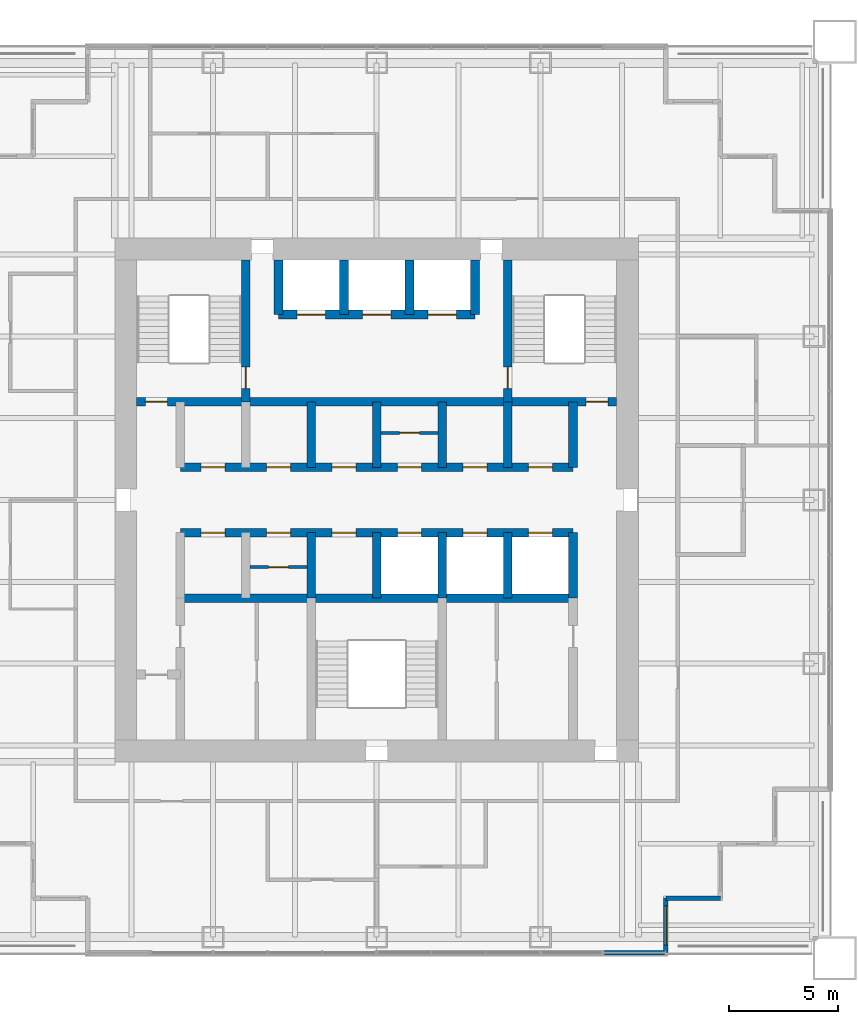
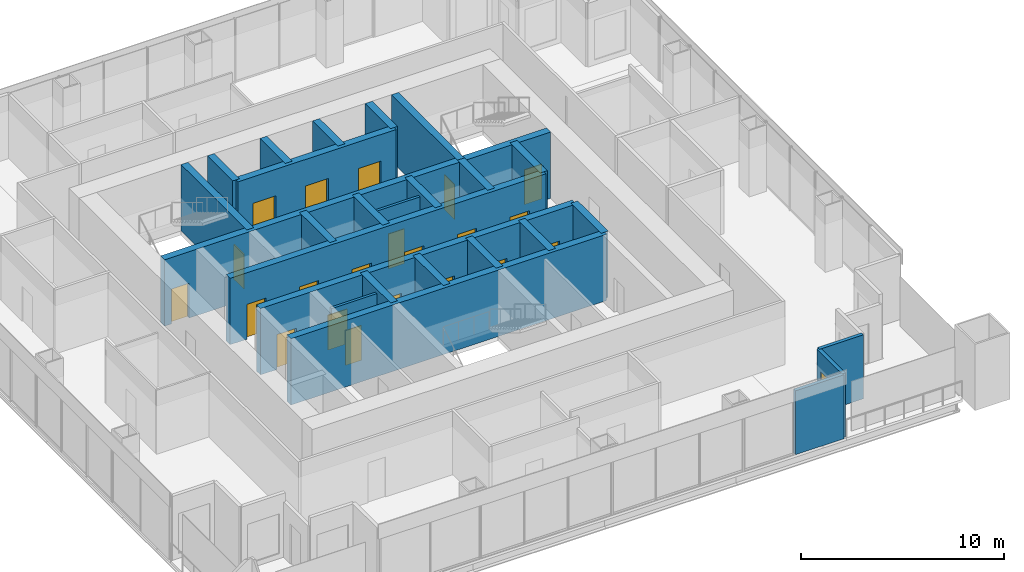
# One storey, part 10 of 14: 26 walls, 21 doors, 1 window, 22 openings.
"""IFC4 building model written with IfcOpenShell, lengths in metres."""

from ifc_helpers import new_model, si_unit, direction, frame, frame_2d, origin, place, context, subcontext, project, spatial, rectangle, extrude, material, layer, layer_set, type_object, element, fill, save


model = new_model("IFC4")

# Units and contexts
model_context = context("Model", 3, precision=1e-05, world=origin(), true_north=direction((0.0, 1.0)))
body_context = subcontext(model_context, "Body", "Model", "MODEL_VIEW")
ifc_project = project(units=[si_unit("LENGTHUNIT", "METRE"), si_unit("AREAUNIT", "SQUARE_METRE"), si_unit("VOLUMEUNIT", "CUBIC_METRE"), si_unit("PLANEANGLEUNIT", "RADIAN"), si_unit("MASSUNIT", "GRAM", prefix="KILO")], contexts=[model_context])

# Site, building, storey
site_placement = place(None, origin())
site = spatial("IfcSite", under=ifc_project, at=site_placement, CompositionType="ELEMENT")
building_placement = place(site_placement, origin())
building = spatial("IfcBuilding", under=site, at=building_placement, Name="Tarangal Relay Tower", CompositionType="ELEMENT")
storey_placement = place(building_placement, frame((0.0, 0.0, 263.89990234375)))
storey = spatial("IfcBuildingStorey", under=building, at=storey_placement, Name="L57", CompositionType="ELEMENT", Elevation=263.89990234375)

# Wall, openings, doors
ifc_material_1 = material(Name="Concrete fc' 60 MPa", Category="concrete")
ifc_layer_1 = layer(ifc_material_1, 0.39990234375)
ifc_layer_set_1 = layer_set([ifc_layer_1], Name="Core inner wall 400")
wall_type_1 = type_object("IfcWallType", Name="Core inner wall 400", PredefinedType="SHEAR", material=ifc_layer_set_1)
wall_1_placement = place(storey_placement, frame((-11.0, 4.5, 0.0), z_axis=(0.0, 0.0, 1.0), x_axis=(1.0, 0.0, 0.0)))
wall_1 = element("IfcWall", 1, at=wall_1_placement, inside=storey, type_object=wall_type_1, Name="Core wall Y45 L57", PredefinedType="SHEAR", context=body_context, shape_type="SweptSolid", body=[
    extrude(rectangle(XDim=22.0, YDim=0.39990234375, at=frame_2d((11.0, 0.0))), origin(), (0.0, 0.0, 1.0), 4.0),
])
opening_1_placement = place(wall_1_placement, frame((0.39990234375, 0.0, 0.0)))
opening_1 = element("IfcOpeningElement", 2, at=opening_1_placement, cuts=wall_1, Name="Opening FD1", PredefinedType="OPENING", context=body_context, shape_type="SweptSolid", body=[
    extrude(rectangle(XDim=1.0, YDim=2.10009765625, at=frame_2d((0.5, 1.050048828125))), frame((0.0, 0.2099609375, 0.0), z_axis=(0.0, -1.0, 0.0), x_axis=(1.0, 0.0, 0.0)), (0.0, 0.0, 1.0), 0.419921875),
])
opening_2_placement = place(wall_1_placement, frame((20.60009765625, 0.0, 0.0)))
opening_2 = element("IfcOpeningElement", 3, at=opening_2_placement, cuts=wall_1, Name="Opening FD1", PredefinedType="OPENING", context=body_context, shape_type="SweptSolid", body=[
    extrude(rectangle(XDim=1.0, YDim=2.10009765625, at=frame_2d((0.5, 1.050048828125))), frame((0.0, 0.2099609375, 0.0), z_axis=(0.0, -1.0, 0.0), x_axis=(1.0, 0.0, 0.0)), (0.0, 0.0, 1.0), 0.419921875),
])
ifc_material_2 = material(Name="Steel door with hardwood frame", Category="steel")
door_type_1 = type_object("IfcDoorType", Name="Fire door 1000 x 2100", OperationType="SINGLE_SWING_LEFT", PredefinedType="DOOR", material=ifc_material_2)
door_1_placement = place(opening_1_placement, origin())
door_1 = element("IfcDoor", 4, at=door_1_placement, inside=storey, type_object=door_type_1, Name="Stair ST-A door from corridor L57", OperationType="SINGLE_SWING_LEFT", OverallHeight=2.10009765625, OverallWidth=1.0, PredefinedType="DOOR", context=body_context, shape_type="SweptSolid", body=[
    extrude(rectangle(XDim=1.0, YDim=2.10009765625, at=frame_2d((0.5, 1.050048828125))), frame((0.0, 0.02490234375, 0.0), z_axis=(0.0, -1.0, 0.0), x_axis=(1.0, 0.0, 0.0)), (0.0, 0.0, 1.0), 0.050048828125),
])
fill(opening_1, door_1)
door_2_placement = place(opening_2_placement, origin())
door_2 = element("IfcDoor", 5, at=door_2_placement, inside=storey, type_object=door_type_1, Name="Stair ST-B door from corridor L57", OperationType="SINGLE_SWING_LEFT", OverallHeight=2.10009765625, OverallWidth=1.0, PredefinedType="DOOR", context=body_context, shape_type="SweptSolid", body=[
    extrude(rectangle(XDim=1.0, YDim=2.10009765625, at=frame_2d((0.5, 1.050048828125))), frame((0.0, 0.02490234375, 0.0), z_axis=(0.0, -1.0, 0.0), x_axis=(1.0, 0.0, 0.0)), (0.0, 0.0, 1.0), 0.050048828125),
])
fill(opening_2, door_2)

wall_2_placement = place(storey_placement, frame((-9.0, 1.5, 0.0), z_axis=(0.0, 0.0, 1.0), x_axis=(1.0, 0.0, 0.0)))
wall_2 = element("IfcWall", 6, at=wall_2_placement, inside=storey, type_object=wall_type_1, Name="Core wall Y15 L57", PredefinedType="SHEAR", context=body_context, shape_type="SweptSolid", body=[
    extrude(rectangle(XDim=18.0, YDim=0.39990234375, at=frame_2d((9.0, 0.0))), origin(), (0.0, 0.0, 1.0), 4.0),
])
opening_3_placement = place(wall_2_placement, frame((0.949951171875, 0.0, 0.0)))
opening_3 = element("IfcOpeningElement", 7, at=opening_3_placement, cuts=wall_2, Name="Opening D4", PredefinedType="OPENING", context=body_context, shape_type="SweptSolid", body=[
    extrude(rectangle(XDim=1.10009765625, YDim=2.10009765625, at=frame_2d((0.550048828125, 1.050048828125))), frame((0.0, 0.2099609375, 0.0), z_axis=(0.0, -1.0, 0.0), x_axis=(1.0, 0.0, 0.0)), (0.0, 0.0, 1.0), 0.419921875),
])
opening_4_placement = place(wall_2_placement, frame((3.949951171875, 0.0, 0.0)))
opening_4 = element("IfcOpeningElement", 8, at=opening_4_placement, cuts=wall_2, Name="Opening D4", PredefinedType="OPENING", context=body_context, shape_type="SweptSolid", body=[
    extrude(rectangle(XDim=1.10009765625, YDim=2.10009765625, at=frame_2d((0.550048828125, 1.050048828125))), frame((0.0, 0.2099609375, 0.0), z_axis=(0.0, -1.0, 0.0), x_axis=(1.0, 0.0, 0.0)), (0.0, 0.0, 1.0), 0.419921875),
])
opening_5_placement = place(wall_2_placement, frame((6.949951171875, 0.0, 0.0)))
opening_5 = element("IfcOpeningElement", 9, at=opening_5_placement, cuts=wall_2, Name="Opening D4", PredefinedType="OPENING", context=body_context, shape_type="SweptSolid", body=[
    extrude(rectangle(XDim=1.10009765625, YDim=2.10009765625, at=frame_2d((0.550048828125, 1.050048828125))), frame((0.0, 0.2099609375, 0.0), z_axis=(0.0, -1.0, 0.0), x_axis=(1.0, 0.0, 0.0)), (0.0, 0.0, 1.0), 0.419921875),
])
opening_6_placement = place(wall_2_placement, frame((9.949951171875, 0.0, 0.0)))
opening_6 = element("IfcOpeningElement", 10, at=opening_6_placement, cuts=wall_2, Name="Opening D4", PredefinedType="OPENING", context=body_context, shape_type="SweptSolid", body=[
    extrude(rectangle(XDim=1.10009765625, YDim=2.10009765625, at=frame_2d((0.550048828125, 1.050048828125))), frame((0.0, 0.2099609375, 0.0), z_axis=(0.0, -1.0, 0.0), x_axis=(1.0, 0.0, 0.0)), (0.0, 0.0, 1.0), 0.419921875),
])
opening_7_placement = place(wall_2_placement, frame((12.949951171875, 0.0, 0.0)))
opening_7 = element("IfcOpeningElement", 11, at=opening_7_placement, cuts=wall_2, Name="Opening D4", PredefinedType="OPENING", context=body_context, shape_type="SweptSolid", body=[
    extrude(rectangle(XDim=1.10009765625, YDim=2.10009765625, at=frame_2d((0.550048828125, 1.050048828125))), frame((0.0, 0.2099609375, 0.0), z_axis=(0.0, -1.0, 0.0), x_axis=(1.0, 0.0, 0.0)), (0.0, 0.0, 1.0), 0.419921875),
])
opening_8_placement = place(wall_2_placement, frame((15.949951171875, 0.0, 0.0)))
opening_8 = element("IfcOpeningElement", 12, at=opening_8_placement, cuts=wall_2, Name="Opening D4", PredefinedType="OPENING", context=body_context, shape_type="SweptSolid", body=[
    extrude(rectangle(XDim=1.10009765625, YDim=2.10009765625, at=frame_2d((0.550048828125, 1.050048828125))), frame((0.0, 0.2099609375, 0.0), z_axis=(0.0, -1.0, 0.0), x_axis=(1.0, 0.0, 0.0)), (0.0, 0.0, 1.0), 0.419921875),
])
door_type_2 = type_object("IfcDoorType", Name="Core room door 1100 x 2100", OperationType="SINGLE_SWING_RIGHT", PredefinedType="DOOR", material=ifc_material_2)
door_3_placement = place(opening_3_placement, origin())
door_3 = element("IfcDoor", 13, at=door_3_placement, inside=storey, type_object=door_type_2, Name="Door D4 to cleaner's store L57-D1", OperationType="SINGLE_SWING_RIGHT", OverallHeight=2.10009765625, OverallWidth=1.10009765625, PredefinedType="DOOR", context=body_context, shape_type="SweptSolid", body=[
    extrude(rectangle(XDim=1.10009765625, YDim=2.10009765625, at=frame_2d((0.550048828125, 1.050048828125))), frame((0.0, 0.02490234375, 0.0), z_axis=(0.0, -1.0, 0.0), x_axis=(1.0, 0.0, 0.0)), (0.0, 0.0, 1.0), 0.050048828125),
])
fill(opening_3, door_3)
door_4_placement = place(opening_4_placement, origin())
door_4 = element("IfcDoor", 14, at=door_4_placement, inside=storey, type_object=door_type_2, Name="Door D4 to staff wc L57-D2", OperationType="SINGLE_SWING_RIGHT", OverallHeight=2.10009765625, OverallWidth=1.10009765625, PredefinedType="DOOR", context=body_context, shape_type="SweptSolid", body=[
    extrude(rectangle(XDim=1.10009765625, YDim=2.10009765625, at=frame_2d((0.550048828125, 1.050048828125))), frame((0.0, 0.02490234375, 0.0), z_axis=(0.0, -1.0, 0.0), x_axis=(1.0, 0.0, 0.0)), (0.0, 0.0, 1.0), 0.050048828125),
])
fill(opening_4, door_4)
door_5_placement = place(opening_5_placement, origin())
door_5 = element("IfcDoor", 15, at=door_5_placement, inside=storey, type_object=door_type_2, Name="Door D4 to staff pantry L57-D3", OperationType="SINGLE_SWING_RIGHT", OverallHeight=2.10009765625, OverallWidth=1.10009765625, PredefinedType="DOOR", context=body_context, shape_type="SweptSolid", body=[
    extrude(rectangle(XDim=1.10009765625, YDim=2.10009765625, at=frame_2d((0.550048828125, 1.050048828125))), frame((0.0, 0.02490234375, 0.0), z_axis=(0.0, -1.0, 0.0), x_axis=(1.0, 0.0, 0.0)), (0.0, 0.0, 1.0), 0.050048828125),
])
fill(opening_5, door_5)
door_6_placement = place(opening_6_placement, origin())
door_6 = element("IfcDoor", 16, at=door_6_placement, inside=storey, type_object=door_type_2, Name="Door D4 to it room L57-T1", OperationType="SINGLE_SWING_RIGHT", OverallHeight=2.10009765625, OverallWidth=1.10009765625, PredefinedType="DOOR", context=body_context, shape_type="SweptSolid", body=[
    extrude(rectangle(XDim=1.10009765625, YDim=2.10009765625, at=frame_2d((0.550048828125, 1.050048828125))), frame((0.0, 0.02490234375, 0.0), z_axis=(0.0, -1.0, 0.0), x_axis=(1.0, 0.0, 0.0)), (0.0, 0.0, 1.0), 0.050048828125),
])
fill(opening_6, door_6)
door_7_placement = place(opening_7_placement, origin())
door_7 = element("IfcDoor", 17, at=door_7_placement, inside=storey, type_object=door_type_2, Name="Door D4 to cleaner's store L57-T2", OperationType="SINGLE_SWING_RIGHT", OverallHeight=2.10009765625, OverallWidth=1.10009765625, PredefinedType="DOOR", context=body_context, shape_type="SweptSolid", body=[
    extrude(rectangle(XDim=1.10009765625, YDim=2.10009765625, at=frame_2d((0.550048828125, 1.050048828125))), frame((0.0, 0.02490234375, 0.0), z_axis=(0.0, -1.0, 0.0), x_axis=(1.0, 0.0, 0.0)), (0.0, 0.0, 1.0), 0.050048828125),
])
fill(opening_7, door_7)
door_8_placement = place(opening_8_placement, origin())
door_8 = element("IfcDoor", 18, at=door_8_placement, inside=storey, type_object=door_type_2, Name="Door D4 to staff wc L57-T3", OperationType="SINGLE_SWING_RIGHT", OverallHeight=2.10009765625, OverallWidth=1.10009765625, PredefinedType="DOOR", context=body_context, shape_type="SweptSolid", body=[
    extrude(rectangle(XDim=1.10009765625, YDim=2.10009765625, at=frame_2d((0.550048828125, 1.050048828125))), frame((0.0, 0.02490234375, 0.0), z_axis=(0.0, -1.0, 0.0), x_axis=(1.0, 0.0, 0.0)), (0.0, 0.0, 1.0), 0.050048828125),
])
fill(opening_8, door_8)

wall_3_placement = place(storey_placement, frame((-9.0, -1.5, 0.0), z_axis=(0.0, 0.0, 1.0), x_axis=(1.0, 0.0, 0.0)))
wall_3 = element("IfcWall", 19, at=wall_3_placement, inside=storey, type_object=wall_type_1, Name="Core wall YM15 L57", PredefinedType="SHEAR", context=body_context, shape_type="SweptSolid", body=[
    extrude(rectangle(XDim=18.0, YDim=0.39990234375, at=frame_2d((9.0, 0.0))), origin(), (0.0, 0.0, 1.0), 4.0),
])
opening_9_placement = place(wall_3_placement, frame((9.949951171875, 0.0, 0.0)))
opening_9 = element("IfcOpeningElement", 20, at=opening_9_placement, cuts=wall_3, Name="Opening LD1", PredefinedType="OPENING", context=body_context, shape_type="SweptSolid", body=[
    extrude(rectangle(XDim=1.10009765625, YDim=2.10009765625, at=frame_2d((0.550048828125, 1.050048828125))), frame((0.0, 0.2099609375, 0.0), z_axis=(0.0, -1.0, 0.0), x_axis=(1.0, 0.0, 0.0)), (0.0, 0.0, 1.0), 0.419921875),
])
opening_10_placement = place(wall_3_placement, frame((12.949951171875, 0.0, 0.0)))
opening_10 = element("IfcOpeningElement", 21, at=opening_10_placement, cuts=wall_3, Name="Opening LD1", PredefinedType="OPENING", context=body_context, shape_type="SweptSolid", body=[
    extrude(rectangle(XDim=1.10009765625, YDim=2.10009765625, at=frame_2d((0.550048828125, 1.050048828125))), frame((0.0, 0.2099609375, 0.0), z_axis=(0.0, -1.0, 0.0), x_axis=(1.0, 0.0, 0.0)), (0.0, 0.0, 1.0), 0.419921875),
])
opening_11_placement = place(wall_3_placement, frame((15.949951171875, 0.0, 0.0)))
opening_11 = element("IfcOpeningElement", 22, at=opening_11_placement, cuts=wall_3, Name="Opening LD1", PredefinedType="OPENING", context=body_context, shape_type="SweptSolid", body=[
    extrude(rectangle(XDim=1.10009765625, YDim=2.10009765625, at=frame_2d((0.550048828125, 1.050048828125))), frame((0.0, 0.2099609375, 0.0), z_axis=(0.0, -1.0, 0.0), x_axis=(1.0, 0.0, 0.0)), (0.0, 0.0, 1.0), 0.419921875),
])
opening_12_placement = place(wall_3_placement, frame((0.949951171875, 0.0, 0.0)))
opening_12 = element("IfcOpeningElement", 23, at=opening_12_placement, cuts=wall_3, Name="Opening D4", PredefinedType="OPENING", context=body_context, shape_type="SweptSolid", body=[
    extrude(rectangle(XDim=1.10009765625, YDim=2.10009765625, at=frame_2d((0.550048828125, 1.050048828125))), frame((0.0, 0.2099609375, 0.0), z_axis=(0.0, -1.0, 0.0), x_axis=(1.0, 0.0, 0.0)), (0.0, 0.0, 1.0), 0.419921875),
])
opening_13_placement = place(wall_3_placement, frame((3.949951171875, 0.0, 0.0)))
opening_13 = element("IfcOpeningElement", 24, at=opening_13_placement, cuts=wall_3, Name="Opening D4", PredefinedType="OPENING", context=body_context, shape_type="SweptSolid", body=[
    extrude(rectangle(XDim=1.10009765625, YDim=2.10009765625, at=frame_2d((0.550048828125, 1.050048828125))), frame((0.0, 0.2099609375, 0.0), z_axis=(0.0, -1.0, 0.0), x_axis=(1.0, 0.0, 0.0)), (0.0, 0.0, 1.0), 0.419921875),
])
opening_14_placement = place(wall_3_placement, frame((6.949951171875, 0.0, 0.0)))
opening_14 = element("IfcOpeningElement", 25, at=opening_14_placement, cuts=wall_3, Name="Opening D4", PredefinedType="OPENING", context=body_context, shape_type="SweptSolid", body=[
    extrude(rectangle(XDim=1.10009765625, YDim=2.10009765625, at=frame_2d((0.550048828125, 1.050048828125))), frame((0.0, 0.2099609375, 0.0), z_axis=(0.0, -1.0, 0.0), x_axis=(1.0, 0.0, 0.0)), (0.0, 0.0, 1.0), 0.419921875),
])
door_9_placement = place(opening_12_placement, origin())
door_9 = element("IfcDoor", 26, at=door_9_placement, inside=storey, type_object=door_type_2, Name="Door D4 to staff pantry L57-S1", OperationType="SINGLE_SWING_RIGHT", OverallHeight=2.10009765625, OverallWidth=1.10009765625, PredefinedType="DOOR", context=body_context, shape_type="SweptSolid", body=[
    extrude(rectangle(XDim=1.10009765625, YDim=2.10009765625, at=frame_2d((0.550048828125, 1.050048828125))), frame((0.0, 0.02490234375, 0.0), z_axis=(0.0, -1.0, 0.0), x_axis=(1.0, 0.0, 0.0)), (0.0, 0.0, 1.0), 0.050048828125),
])
fill(opening_12, door_9)
door_10_placement = place(opening_13_placement, origin())
door_10 = element("IfcDoor", 27, at=door_10_placement, inside=storey, type_object=door_type_2, Name="Door D4 to it room L57-S2", OperationType="SINGLE_SWING_RIGHT", OverallHeight=2.10009765625, OverallWidth=1.10009765625, PredefinedType="DOOR", context=body_context, shape_type="SweptSolid", body=[
    extrude(rectangle(XDim=1.10009765625, YDim=2.10009765625, at=frame_2d((0.550048828125, 1.050048828125))), frame((0.0, 0.02490234375, 0.0), z_axis=(0.0, -1.0, 0.0), x_axis=(1.0, 0.0, 0.0)), (0.0, 0.0, 1.0), 0.050048828125),
])
fill(opening_13, door_10)
door_11_placement = place(opening_14_placement, origin())
door_11 = element("IfcDoor", 28, at=door_11_placement, inside=storey, type_object=door_type_2, Name="Door D4 to cleaner's store L57-S3", OperationType="SINGLE_SWING_RIGHT", OverallHeight=2.10009765625, OverallWidth=1.10009765625, PredefinedType="DOOR", context=body_context, shape_type="SweptSolid", body=[
    extrude(rectangle(XDim=1.10009765625, YDim=2.10009765625, at=frame_2d((0.550048828125, 1.050048828125))), frame((0.0, 0.02490234375, 0.0), z_axis=(0.0, -1.0, 0.0), x_axis=(1.0, 0.0, 0.0)), (0.0, 0.0, 1.0), 0.050048828125),
])
fill(opening_14, door_11)
door_type_3 = type_object("IfcDoorType", Name="Lift landing door 1100 x 2100", OperationType="SLIDING_TO_LEFT", PredefinedType="DOOR", material=ifc_material_2)
door_12_placement = place(opening_9_placement, origin())
door_12 = element("IfcDoor", 29, at=door_12_placement, inside=storey, type_object=door_type_3, Name="Lift OH1 landing door L57", OperationType="SLIDING_TO_LEFT", OverallHeight=2.10009765625, OverallWidth=1.10009765625, PredefinedType="DOOR", context=body_context, shape_type="SweptSolid", body=[
    extrude(rectangle(XDim=1.10009765625, YDim=2.10009765625, at=frame_2d((0.550048828125, 1.050048828125))), frame((0.0, 0.02490234375, 0.0), z_axis=(0.0, -1.0, 0.0), x_axis=(1.0, 0.0, 0.0)), (0.0, 0.0, 1.0), 0.050048828125),
])
fill(opening_9, door_12)
door_13_placement = place(opening_10_placement, origin())
door_13 = element("IfcDoor", 30, at=door_13_placement, inside=storey, type_object=door_type_3, Name="Lift OH2 landing door L57", OperationType="SLIDING_TO_LEFT", OverallHeight=2.10009765625, OverallWidth=1.10009765625, PredefinedType="DOOR", context=body_context, shape_type="SweptSolid", body=[
    extrude(rectangle(XDim=1.10009765625, YDim=2.10009765625, at=frame_2d((0.550048828125, 1.050048828125))), frame((0.0, 0.02490234375, 0.0), z_axis=(0.0, -1.0, 0.0), x_axis=(1.0, 0.0, 0.0)), (0.0, 0.0, 1.0), 0.050048828125),
])
fill(opening_10, door_13)
door_14_placement = place(opening_11_placement, origin())
door_14 = element("IfcDoor", 31, at=door_14_placement, inside=storey, type_object=door_type_3, Name="Lift OH3 landing door L57", OperationType="SLIDING_TO_LEFT", OverallHeight=2.10009765625, OverallWidth=1.10009765625, PredefinedType="DOOR", context=body_context, shape_type="SweptSolid", body=[
    extrude(rectangle(XDim=1.10009765625, YDim=2.10009765625, at=frame_2d((0.550048828125, 1.050048828125))), frame((0.0, 0.02490234375, 0.0), z_axis=(0.0, -1.0, 0.0), x_axis=(1.0, 0.0, 0.0)), (0.0, 0.0, 1.0), 0.050048828125),
])
fill(opening_11, door_14)

# Wall
wall_4_placement = place(storey_placement, frame((-9.0, -4.5, 0.0), z_axis=(0.0, 0.0, 1.0), x_axis=(1.0, 0.0, 0.0)))
element("IfcWall", 32, at=wall_4_placement, inside=storey, type_object=wall_type_1, Name="Core wall YM45 L57", PredefinedType="SHEAR", context=body_context, shape_type="SweptSolid", body=[
    extrude(rectangle(XDim=18.0, YDim=0.39990234375, at=frame_2d((9.0, 0.0))), origin(), (0.0, 0.0, 1.0), 4.0),
])

# Wall, openings, doors
wall_5_placement = place(storey_placement, frame((-4.5, 8.5, 0.0), z_axis=(0.0, 0.0, 1.0), x_axis=(1.0, 0.0, 0.0)))
wall_5 = element("IfcWall", 33, at=wall_5_placement, inside=storey, type_object=wall_type_1, Name="Core wall Y85 L57", PredefinedType="SHEAR", context=body_context, shape_type="SweptSolid", body=[
    extrude(rectangle(XDim=9.0, YDim=0.39990234375, at=frame_2d((4.5, 0.0))), origin(), (0.0, 0.0, 1.0), 4.0),
])
opening_15_placement = place(wall_5_placement, frame((0.85009765625, 0.0, 0.0)))
opening_15 = element("IfcOpeningElement", 34, at=opening_15_placement, cuts=wall_5, Name="Opening LD2", PredefinedType="OPENING", context=body_context, shape_type="SweptSolid", body=[
    extrude(rectangle(XDim=1.300048828125, YDim=2.39990234375, at=frame_2d((0.64990234375, 1.199951171875))), frame((0.0, 0.2099609375, 0.0), z_axis=(0.0, -1.0, 0.0), x_axis=(1.0, 0.0, 0.0)), (0.0, 0.0, 1.0), 0.419921875),
])
opening_16_placement = place(wall_5_placement, frame((6.85009765625, 0.0, 0.0)))
opening_16 = element("IfcOpeningElement", 35, at=opening_16_placement, cuts=wall_5, Name="Opening LD2", PredefinedType="OPENING", context=body_context, shape_type="SweptSolid", body=[
    extrude(rectangle(XDim=1.300048828125, YDim=2.39990234375, at=frame_2d((0.64990234375, 1.199951171875))), frame((0.0, 0.2099609375, 0.0), z_axis=(0.0, -1.0, 0.0), x_axis=(1.0, 0.0, 0.0)), (0.0, 0.0, 1.0), 0.419921875),
])
opening_17_placement = place(wall_5_placement, frame((3.85009765625, 0.0, 0.0)))
opening_17 = element("IfcOpeningElement", 36, at=opening_17_placement, cuts=wall_5, Name="Opening LD2", PredefinedType="OPENING", context=body_context, shape_type="SweptSolid", body=[
    extrude(rectangle(XDim=1.300048828125, YDim=2.39990234375, at=frame_2d((0.64990234375, 1.199951171875))), frame((0.0, 0.2099609375, 0.0), z_axis=(0.0, -1.0, 0.0), x_axis=(1.0, 0.0, 0.0)), (0.0, 0.0, 1.0), 0.419921875),
])
door_type_4 = type_object("IfcDoorType", Name="Lift landing door 1300 x 2400", OperationType="SLIDING_TO_LEFT", PredefinedType="DOOR", material=ifc_material_2)
door_15_placement = place(opening_15_placement, origin())
door_15 = element("IfcDoor", 37, at=door_15_placement, inside=storey, type_object=door_type_4, Name="Lift FF1 landing door L57", OperationType="SLIDING_TO_LEFT", OverallHeight=2.39990234375, OverallWidth=1.300048828125, PredefinedType="DOOR", context=body_context, shape_type="SweptSolid", body=[
    extrude(rectangle(XDim=1.300048828125, YDim=2.39990234375, at=frame_2d((0.64990234375, 1.199951171875))), frame((0.0, 0.02490234375, 0.0), z_axis=(0.0, -1.0, 0.0), x_axis=(1.0, 0.0, 0.0)), (0.0, 0.0, 1.0), 0.050048828125),
])
fill(opening_15, door_15)
door_16_placement = place(opening_16_placement, origin())
door_16 = element("IfcDoor", 38, at=door_16_placement, inside=storey, type_object=door_type_4, Name="Lift FF2 landing door L57", OperationType="SLIDING_TO_LEFT", OverallHeight=2.39990234375, OverallWidth=1.300048828125, PredefinedType="DOOR", context=body_context, shape_type="SweptSolid", body=[
    extrude(rectangle(XDim=1.300048828125, YDim=2.39990234375, at=frame_2d((0.64990234375, 1.199951171875))), frame((0.0, 0.02490234375, 0.0), z_axis=(0.0, -1.0, 0.0), x_axis=(1.0, 0.0, 0.0)), (0.0, 0.0, 1.0), 0.050048828125),
])
fill(opening_16, door_16)
door_17_placement = place(opening_17_placement, origin())
door_17 = element("IfcDoor", 39, at=door_17_placement, inside=storey, type_object=door_type_4, Name="Lift SV1 landing door L57", OperationType="SLIDING_TO_LEFT", OverallHeight=2.39990234375, OverallWidth=1.300048828125, PredefinedType="DOOR", context=body_context, shape_type="SweptSolid", body=[
    extrude(rectangle(XDim=1.300048828125, YDim=2.39990234375, at=frame_2d((0.64990234375, 1.199951171875))), frame((0.0, 0.02490234375, 0.0), z_axis=(0.0, -1.0, 0.0), x_axis=(1.0, 0.0, 0.0)), (0.0, 0.0, 1.0), 0.050048828125),
])
fill(opening_17, door_17)

# Walls
for number, where, z_axis, x_axis, name in (
    (40, (9.0, 1.5, 0.0), (0.0, 0.0, 1.0), (0.0, 1.0, 0.0), "Core wall X9N L57"),
    (41, (9.0, -4.5, 0.0), (0.0, 0.0, 1.0), (0.0, 1.0, 0.0), "Core wall X9S L57"),
    (42, (-3.0, 1.5, 0.0), (0.0, 0.0, 1.0), (0.0, 1.0, 0.0), "Core wall XM3N L57"),
    (43, (0.0, 1.5, 0.0), (0.0, 0.0, 1.0), (0.0, 1.0, 0.0), "Core wall X0N L57"),
    (44, (3.0, 1.5, 0.0), (0.0, 0.0, 1.0), (0.0, 1.0, 0.0), "Core wall X3N L57"),
    (45, (6.0, 1.5, 0.0), (0.0, 0.0, 1.0), (0.0, 1.0, 0.0), "Core wall X6N L57"),
    (46, (-3.0, -4.5, 0.0), (0.0, 0.0, 1.0), (0.0, 1.0, 0.0), "Core wall XM3S L57"),
    (47, (0.0, -4.5, 0.0), (0.0, 0.0, 1.0), (0.0, 1.0, 0.0), "Core wall X0S L57"),
    (48, (3.0, -4.5, 0.0), (0.0, 0.0, 1.0), (0.0, 1.0, 0.0), "Core wall X3S L57"),
    (49, (6.0, -4.5, 0.0), (0.0, 0.0, 1.0), (0.0, 1.0, 0.0), "Core wall X6S L57"),
):
    element("IfcWall", number, at=place(storey_placement, frame(where, z_axis=z_axis, x_axis=x_axis)), inside=storey, type_object=wall_type_1, Name=name, PredefinedType="SHEAR", context=body_context, shape_type="SweptSolid", body=[
        extrude(rectangle(XDim=3.0, YDim=0.39990234375, at=frame_2d((1.5, 0.0))), origin(), (0.0, 0.0, 1.0), 4.0),
    ])

# Wall, opening, door
wall_6_placement = place(storey_placement, frame((-6.0, 4.5, 0.0), z_axis=(0.0, 0.0, 1.0), x_axis=(0.0, 1.0, 0.0)))
wall_6 = element("IfcWall", 50, at=wall_6_placement, inside=storey, type_object=wall_type_1, Name="Core wall XM6 L57", PredefinedType="SHEAR", context=body_context, shape_type="SweptSolid", body=[
    extrude(rectangle(XDim=6.5, YDim=0.39990234375, at=frame_2d((3.25, 0.0))), origin(), (0.0, 0.0, 1.0), 4.0),
])
opening_18_placement = place(wall_6_placement, frame((0.60009765625, 0.0, 0.0)))
opening_18 = element("IfcOpeningElement", 51, at=opening_18_placement, cuts=wall_6, Name="Opening FD1", PredefinedType="OPENING", context=body_context, shape_type="SweptSolid", body=[
    extrude(rectangle(XDim=1.0, YDim=2.10009765625, at=frame_2d((0.5, 1.050048828125))), frame((0.0, 0.2099609375, 0.0), z_axis=(0.0, -1.0, 0.0), x_axis=(1.0, 0.0, 0.0)), (0.0, 0.0, 1.0), 0.419921875),
])
door_18_placement = place(opening_18_placement, origin())
door_18 = element("IfcDoor", 52, at=door_18_placement, inside=storey, type_object=door_type_1, Name="Stair ST-A door from fire-fighting lobby L57", OperationType="SINGLE_SWING_LEFT", OverallHeight=2.10009765625, OverallWidth=1.0, PredefinedType="DOOR", context=body_context, shape_type="SweptSolid", body=[
    extrude(rectangle(XDim=1.0, YDim=2.10009765625, at=frame_2d((0.5, 1.050048828125))), frame((0.0, 0.02490234375, 0.0), z_axis=(0.0, -1.0, 0.0), x_axis=(1.0, 0.0, 0.0)), (0.0, 0.0, 1.0), 0.050048828125),
])
fill(opening_18, door_18)

wall_7_placement = place(storey_placement, frame((6.0, 4.5, 0.0), z_axis=(0.0, 0.0, 1.0), x_axis=(0.0, 1.0, 0.0)))
wall_7 = element("IfcWall", 53, at=wall_7_placement, inside=storey, type_object=wall_type_1, Name="Core wall X6 L57", PredefinedType="SHEAR", context=body_context, shape_type="SweptSolid", body=[
    extrude(rectangle(XDim=6.5, YDim=0.39990234375, at=frame_2d((3.25, 0.0))), origin(), (0.0, 0.0, 1.0), 4.0),
])
opening_19_placement = place(wall_7_placement, frame((0.60009765625, 0.0, 0.0)))
opening_19 = element("IfcOpeningElement", 54, at=opening_19_placement, cuts=wall_7, Name="Opening FD1", PredefinedType="OPENING", context=body_context, shape_type="SweptSolid", body=[
    extrude(rectangle(XDim=1.0, YDim=2.10009765625, at=frame_2d((0.5, 1.050048828125))), frame((0.0, 0.2099609375, 0.0), z_axis=(0.0, -1.0, 0.0), x_axis=(1.0, 0.0, 0.0)), (0.0, 0.0, 1.0), 0.419921875),
])
door_19_placement = place(opening_19_placement, origin())
door_19 = element("IfcDoor", 55, at=door_19_placement, inside=storey, type_object=door_type_1, Name="Stair ST-B door from fire-fighting lobby L57", OperationType="SINGLE_SWING_LEFT", OverallHeight=2.10009765625, OverallWidth=1.0, PredefinedType="DOOR", context=body_context, shape_type="SweptSolid", body=[
    extrude(rectangle(XDim=1.0, YDim=2.10009765625, at=frame_2d((0.5, 1.050048828125))), frame((0.0, 0.02490234375, 0.0), z_axis=(0.0, -1.0, 0.0), x_axis=(1.0, 0.0, 0.0)), (0.0, 0.0, 1.0), 0.050048828125),
])
fill(opening_19, door_19)

# Walls
for number, where, z_axis, x_axis, name in (
    (56, (-4.5, 8.5, 0.0), (0.0, 0.0, 1.0), (0.0, 1.0, 0.0), "Core wall XM45 L57"),
    (57, (4.5, 8.5, 0.0), (0.0, 0.0, 1.0), (0.0, 1.0, 0.0), "Core wall X45 L57"),
    (58, (-1.5, 8.5, 0.0), (0.0, 0.0, 1.0), (0.0, 1.0, 0.0), "Core wall XM15 L57"),
    (59, (1.5, 8.5, 0.0), (0.0, 0.0, 1.0), (0.0, 1.0, 0.0), "Core wall X15 L57"),
):
    element("IfcWall", number, at=place(storey_placement, frame(where, z_axis=z_axis, x_axis=x_axis)), inside=storey, type_object=wall_type_1, Name=name, PredefinedType="SHEAR", context=body_context, shape_type="SweptSolid", body=[
        extrude(rectangle(XDim=2.5, YDim=0.39990234375, at=frame_2d((1.25, 0.0))), origin(), (0.0, 0.0, 1.0), 4.0),
    ])
ifc_material_3 = material(Name="Black metal clad insulated wall", Category="steel")
ifc_layer_2 = layer(ifc_material_3, 0.199951171875)
ifc_layer_set_2 = layer_set([ifc_layer_2], Name="Corner wall metal clad 200")
wall_type_2 = type_object("IfcWallType", Name="Corner wall metal clad 200", PredefinedType="SOLIDWALL", material=ifc_layer_set_2)
wall_8_placement = place(storey_placement, frame((15.75, -18.25, 0.0), z_axis=(0.0, 0.0, 1.0), x_axis=(-1.0, 0.0, 0.0)))
element("IfcWall", 60, at=wall_8_placement, inside=storey, type_object=wall_type_2, Name="Facade wall E facade L57", PredefinedType="SOLIDWALL", context=body_context, shape_type="SweptSolid", body=[
    extrude(rectangle(XDim=2.5, YDim=0.199951171875, at=frame_2d((1.25, 0.0))), origin(), (0.0, 0.0, 1.0), 3.85009765625),
])

# Wall, opening, window
wall_9_placement = place(storey_placement, frame((13.25, -18.25, 0.0), z_axis=(0.0, 0.0, 1.0), x_axis=(0.0, -1.0, 0.0)))
wall_9 = element("IfcWall", 61, at=wall_9_placement, inside=storey, type_object=wall_type_2, Name="Facade wall E facade L57", PredefinedType="SOLIDWALL", context=body_context, shape_type="SweptSolid", body=[
    extrude(rectangle(XDim=2.5, YDim=0.199951171875, at=frame_2d((1.25, 0.0))), origin(), (0.0, 0.0, 1.0), 3.85009765625),
])
opening_20_placement = place(wall_9_placement, frame((0.35009765625, 0.0, 0.300048828125)))
opening_20 = element("IfcOpeningElement", 62, at=opening_20_placement, cuts=wall_9, Name="Opening WN2", PredefinedType="OPENING", context=body_context, shape_type="SweptSolid", body=[
    extrude(rectangle(XDim=1.800048828125, YDim=2.39990234375, at=frame_2d((0.89990234375, 1.199951171875))), frame((0.0, 0.10986328125, 0.0), z_axis=(0.0, -1.0, 0.0), x_axis=(1.0, 0.0, 0.0)), (0.0, 0.0, 1.0), 0.219970703125),
])
ifc_material_4 = material(Name="Dark tinted double glazing in black aluminium frame", Category="aluminium")
window_type = type_object("IfcWindowType", Name="Corner window 1800 x 2400", PartitioningType="SINGLE_PANEL", PredefinedType="WINDOW", material=ifc_material_4)
window_placement = place(opening_20_placement, origin())
window = element("IfcWindow", 63, at=window_placement, inside=storey, type_object=window_type, Name="Corner window WN2 E facade L57", OverallHeight=2.39990234375, OverallWidth=1.800048828125, PartitioningType="SINGLE_PANEL", PredefinedType="WINDOW", context=body_context, shape_type="SweptSolid", body=[
    extrude(rectangle(XDim=1.800048828125, YDim=2.39990234375, at=frame_2d((0.89990234375, 1.199951171875))), frame((0.0, 0.030029296875, 0.0), z_axis=(0.0, -1.0, 0.0), x_axis=(1.0, 0.0, 0.0)), (0.0, 0.0, 1.0), 0.06005859375),
])
fill(opening_20, window)

# Wall
ifc_layer_3 = layer(ifc_material_3, 0.199951171875)
ifc_layer_set_3 = layer_set([ifc_layer_3], Name="Facade infill wall metal clad 200")
wall_type_3 = type_object("IfcWallType", Name="Facade infill wall metal clad 200", PredefinedType="SOLIDWALL", material=ifc_layer_set_3)
wall_10_placement = place(storey_placement, frame((13.18994140625, -20.75, 0.0), z_axis=(0.0, 0.0, 1.0), x_axis=(-1.0, 0.0, 0.0)))
element("IfcWall", 64, at=wall_10_placement, inside=storey, type_object=wall_type_3, Name="Facade infill wall S facade L57 1.1", PredefinedType="SOLIDWALL", context=body_context, shape_type="SweptSolid", body=[
    extrude(rectangle(XDim=2.7548828125, YDim=0.199951171875, at=frame_2d((1.37744140625, 0.0))), origin(), (0.0, 0.0, 1.0), 3.85009765625),
])

# Wall, opening, door
ifc_material_5 = material(Name="Gypsum board on steel studs", Category="steel")
ifc_layer_4 = layer(ifc_material_5, 0.14990234375)
ifc_layer_set_4 = layer_set([ifc_layer_4], Name="Partition 150")
wall_type_4 = type_object("IfcWallType", Name="Partition 150", PredefinedType="PARTITIONING", material=ifc_layer_set_4)
wall_11_placement = place(storey_placement, frame((0.199951171875, 3.074951171875, 0.0), z_axis=(0.0, 0.0, 1.0), x_axis=(1.0, 0.0, 0.0)))
wall_11 = element("IfcWall", 65, at=wall_11_placement, inside=storey, type_object=wall_type_4, Name="Partition PT1 L57", PredefinedType="PARTITIONING", context=body_context, shape_type="SweptSolid", body=[
    extrude(rectangle(XDim=2.60009765625, YDim=0.14990234375, at=frame_2d((1.300048828125, 0.0))), origin(), (0.0, 0.0, 1.0), 3.75),
])
opening_21_placement = place(wall_11_placement, frame((0.85009765625, 0.0, 0.0)))
opening_21 = element("IfcOpeningElement", 66, at=opening_21_placement, cuts=wall_11, Name="Opening D5", PredefinedType="OPENING", context=body_context, shape_type="SweptSolid", body=[
    extrude(rectangle(XDim=0.89990234375, YDim=2.10009765625, at=frame_2d((0.449951171875, 1.050048828125))), frame((0.0, 0.0849609375, 0.0), z_axis=(0.0, -1.0, 0.0), x_axis=(1.0, 0.0, 0.0)), (0.0, 0.0, 1.0), 0.169921875),
])
ifc_material_6 = material(Name="Hardwood door", Category="wood")
door_type_5 = type_object("IfcDoorType", Name="Cupboard door 900 x 2100", OperationType="SINGLE_SWING_LEFT", PredefinedType="DOOR", material=ifc_material_6)
door_20_placement = place(opening_21_placement, origin())
door_20 = element("IfcDoor", 67, at=door_20_placement, inside=storey, type_object=door_type_5, Name="Door D5 to it patch cupboard L57-T1B", OperationType="SINGLE_SWING_LEFT", OverallHeight=2.10009765625, OverallWidth=0.89990234375, PredefinedType="DOOR", context=body_context, shape_type="SweptSolid", body=[
    extrude(rectangle(XDim=0.89990234375, YDim=2.10009765625, at=frame_2d((0.449951171875, 1.050048828125))), frame((0.0, 0.02490234375, 0.0), z_axis=(0.0, -1.0, 0.0), x_axis=(1.0, 0.0, 0.0)), (0.0, 0.0, 1.0), 0.050048828125),
])
fill(opening_21, door_20)

wall_12_placement = place(storey_placement, frame((-5.800048828125, -3.074951171875, 0.0), z_axis=(0.0, 0.0, 1.0), x_axis=(1.0, 0.0, 0.0)))
wall_12 = element("IfcWall", 68, at=wall_12_placement, inside=storey, type_object=wall_type_4, Name="Partition PT1 L57", PredefinedType="PARTITIONING", context=body_context, shape_type="SweptSolid", body=[
    extrude(rectangle(XDim=2.60009765625, YDim=0.14990234375, at=frame_2d((1.300048828125, 0.0))), origin(), (0.0, 0.0, 1.0), 3.75),
])
opening_22_placement = place(wall_12_placement, frame((0.85009765625, 0.0, 0.0)))
opening_22 = element("IfcOpeningElement", 69, at=opening_22_placement, cuts=wall_12, Name="Opening D5", PredefinedType="OPENING", context=body_context, shape_type="SweptSolid", body=[
    extrude(rectangle(XDim=0.89990234375, YDim=2.10009765625, at=frame_2d((0.449951171875, 1.050048828125))), frame((0.0, 0.0849609375, 0.0), z_axis=(0.0, -1.0, 0.0), x_axis=(1.0, 0.0, 0.0)), (0.0, 0.0, 1.0), 0.169921875),
])
door_21_placement = place(opening_22_placement, origin())
door_21 = element("IfcDoor", 70, at=door_21_placement, inside=storey, type_object=door_type_5, Name="Door D5 to it patch cupboard L57-S2B", OperationType="SINGLE_SWING_LEFT", OverallHeight=2.10009765625, OverallWidth=0.89990234375, PredefinedType="DOOR", context=body_context, shape_type="SweptSolid", body=[
    extrude(rectangle(XDim=0.89990234375, YDim=2.10009765625, at=frame_2d((0.449951171875, 1.050048828125))), frame((0.0, 0.02490234375, 0.0), z_axis=(0.0, -1.0, 0.0), x_axis=(1.0, 0.0, 0.0)), (0.0, 0.0, 1.0), 0.050048828125),
])
fill(opening_22, door_21)

save(model, "model.ifc")
